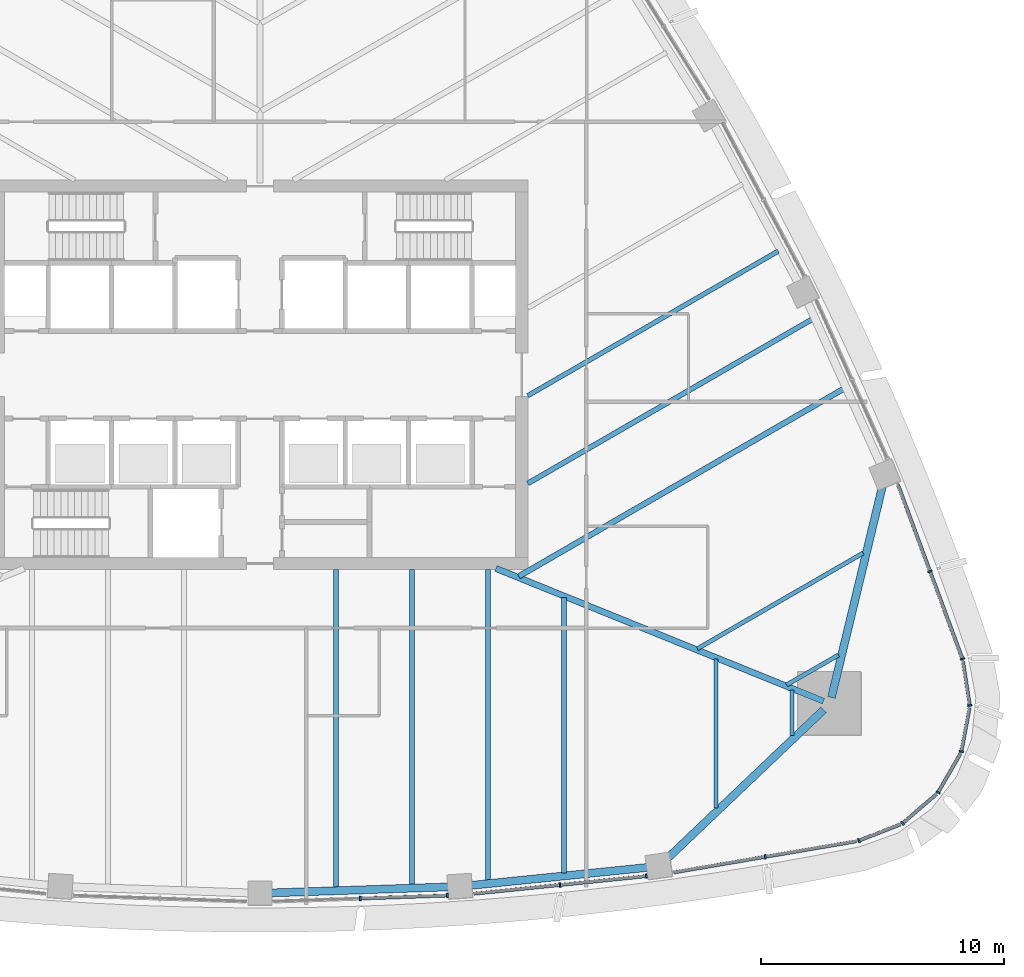
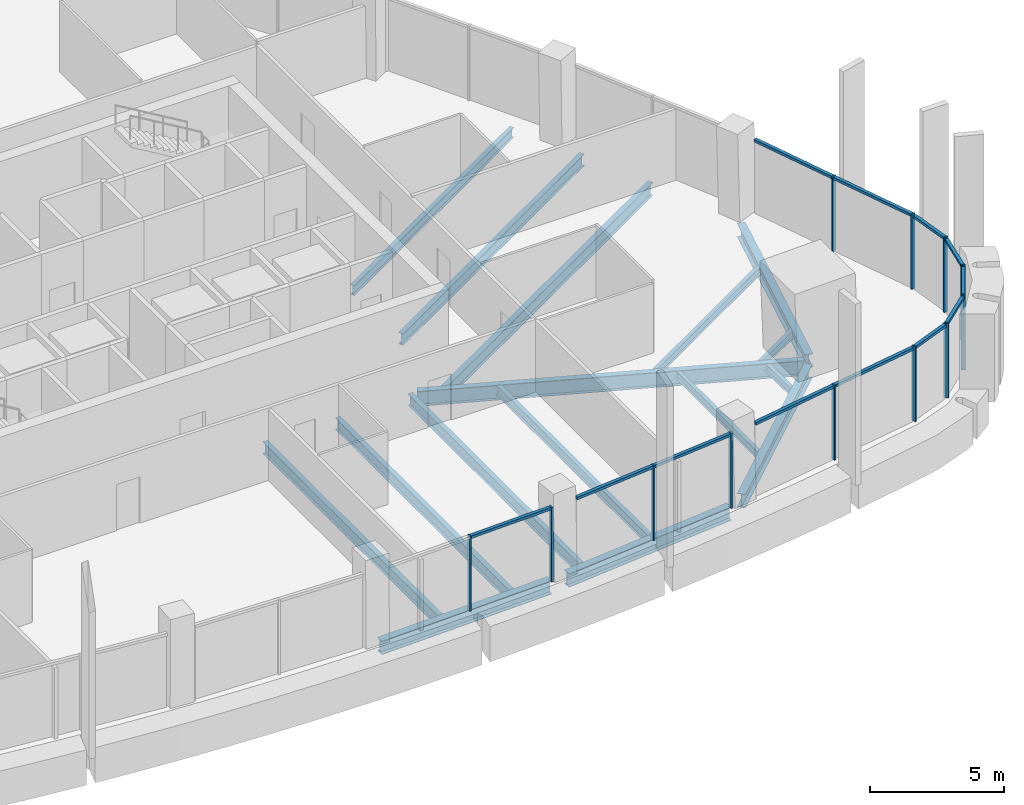
# One storey, part 4 of 19: 24 members, 16 beams, 9 elements without a shape of their own.
"""IFC4 building model written with IfcOpenShell, lengths in metres."""

from ifc_helpers import new_model, si_unit, direction, frame, origin, origin_2d, place, context, subcontext, project, spatial, rectangle, i_section, extrude, material, layer, layer_set, material_profile, profile_set, type_object, element, aggregate, save


model = new_model("IFC4")

# Units and contexts
model_context = context("Model", 3, precision=1e-05, world=origin(), true_north=direction((0.0, 1.0)))
body_context = subcontext(model_context, "Body", "Model", "MODEL_VIEW")
ifc_project = project(units=[si_unit("LENGTHUNIT", "METRE"), si_unit("AREAUNIT", "SQUARE_METRE"), si_unit("VOLUMEUNIT", "CUBIC_METRE"), si_unit("PLANEANGLEUNIT", "RADIAN"), si_unit("MASSUNIT", "GRAM", prefix="KILO")], contexts=[model_context])

# Site, building, storey
site_placement = place(None, origin())
site = spatial("IfcSite", under=ifc_project, at=site_placement, CompositionType="ELEMENT")
building_placement = place(site_placement, origin())
building = spatial("IfcBuilding", under=site, at=building_placement, Name="Sierra Prisma Convention Tower", CompositionType="ELEMENT")
storey_placement = place(building_placement, frame((0.0, 0.0, 185.800048828125)))
storey = spatial("IfcBuildingStorey", under=building, at=storey_placement, Name="L41", CompositionType="ELEMENT", Elevation=185.800048828125)

# Curtain wall, members
ifc_material_1 = material(Name="Aluminium and glass curtain wall", Category="aluminium")
ifc_layer = layer(ifc_material_1, 0.179931640625)
ifc_layer_set = layer_set([ifc_layer], Name="CW-1 Plain shaft curtain wall")
curtain_wall_type = type_object("IfcCurtainWallType", Name="CW-1 Plain shaft curtain wall", PredefinedType="NOTDEFINED", material=ifc_layer_set)
curtain_wall_1_placement = place(storey_placement, origin())
curtain_wall_1 = element("IfcCurtainWall", 1, at=curtain_wall_1_placement, inside=storey, type_object=curtain_wall_type, Name="CW-1 S4 L41", PredefinedType="NOTDEFINED")
ifc_material_2 = material(Name="Aluminium 6063-T6 bronze anodised", Category="aluminium")
ifc_material_profile_1 = material_profile(ifc_material_2, rectangle(XDim=0.179931640625, YDim=0.070068359375, at=origin_2d()), Name="ALU MULLION 70x180")
ifc_profile_set_1 = profile_set([ifc_material_profile_1], Name="Aluminium 6063-T6 bronze anodised")
member_type_1 = type_object("IfcMemberType", Name="CW mullion bronze", PredefinedType="MULLION", material=ifc_profile_set_1)
member_1_placement = place(storey_placement, frame((4.11376953125, -21.5107421875, 0.0), z_axis=(0.0, 0.0, 1.0), x_axis=(-0.03381708389, 0.999428038849, 0.0)))
member_1 = element("IfcMember", 2, at=member_1_placement, type_object=member_type_1, Name="CW-1 mullion S4.2", PredefinedType="MULLION", context=body_context, shape_type="SweptSolid", body=[
    extrude(rectangle(XDim=0.179931640625, YDim=0.070068359375, at=origin_2d()), origin(), (0.0, 0.0, 1.0), 3.39990234375),
])
member_2_placement = place(storey_placement, frame((7.69287109375, -21.3896484375, 0.0), z_axis=(0.0, 0.0, 1.0), x_axis=(-0.03381708389, 0.999428038849, 0.0)))
member_2 = element("IfcMember", 3, at=member_2_placement, type_object=member_type_1, Name="CW-1 mullion S4.3", PredefinedType="MULLION", context=body_context, shape_type="SweptSolid", body=[
    extrude(rectangle(XDim=0.179931640625, YDim=0.070068359375, at=origin_2d()), origin(), (0.0, 0.0, 1.0), 3.39990234375),
])

curtain_wall_2_placement = place(storey_placement, origin())
curtain_wall_2 = element("IfcCurtainWall", 4, at=curtain_wall_2_placement, inside=storey, type_object=curtain_wall_type, Name="CW-1 S5 L41", PredefinedType="NOTDEFINED")
member_3_placement = place(storey_placement, frame((12.3193359375, -20.955810546875, 0.0), z_axis=(0.0, 0.0, 1.0), x_axis=(-0.101296559457, 0.994856274565, 0.0)))
member_3 = element("IfcMember", 5, at=member_3_placement, type_object=member_type_1, Name="CW-1 mullion S5.2", PredefinedType="MULLION", context=body_context, shape_type="SweptSolid", body=[
    extrude(rectangle(XDim=0.179931640625, YDim=0.070068359375, at=origin_2d()), origin(), (0.0, 0.0, 1.0), 3.39990234375),
])
member_4_placement = place(storey_placement, frame((15.865966796875, -20.5947265625, 0.0), z_axis=(0.0, 0.0, 1.0), x_axis=(-0.101296559457, 0.994856274565, 0.0)))
member_4 = element("IfcMember", 6, at=member_4_placement, type_object=member_type_1, Name="CW-1 mullion S5.3", PredefinedType="MULLION", context=body_context, shape_type="SweptSolid", body=[
    extrude(rectangle(XDim=0.179931640625, YDim=0.070068359375, at=origin_2d()), origin(), (0.0, 0.0, 1.0), 3.39990234375),
])

# Curtain wall, member
curtain_wall_3_placement = place(storey_placement, origin())
curtain_wall_3 = element("IfcCurtainWall", 7, at=curtain_wall_3_placement, inside=storey, type_object=curtain_wall_type, Name="CW-1 S6 L41", PredefinedType="NOTDEFINED")
member_5_placement = place(storey_placement, frame((20.752685546875, -19.800048828125, 0.0), z_axis=(0.0, 0.0, 1.0), x_axis=(-0.168312666002, 0.985733658989, 0.0)))
member_5 = element("IfcMember", 8, at=member_5_placement, type_object=member_type_1, Name="CW-1 mullion S6.2", PredefinedType="MULLION", context=body_context, shape_type="SweptSolid", body=[
    extrude(rectangle(XDim=0.179931640625, YDim=0.070068359375, at=origin_2d()), origin(), (0.0, 0.0, 1.0), 3.39990234375),
])

curtain_wall_4_placement = place(storey_placement, origin())
curtain_wall_4 = element("IfcCurtainWall", 9, at=curtain_wall_4_placement, inside=storey, type_object=curtain_wall_type, Name="CW-1 SE1 L41", PredefinedType="NOTDEFINED")
member_6_placement = place(storey_placement, frame((24.6025390625, -19.135498046875, 0.0), z_axis=(0.0, 0.0, 1.0), x_axis=(-0.363286016409, 0.931677664368, 0.0)))
member_6 = element("IfcMember", 10, at=member_6_placement, type_object=member_type_1, Name="CW-1 mullion SE1.1", PredefinedType="MULLION", context=body_context, shape_type="SweptSolid", body=[
    extrude(rectangle(XDim=0.179931640625, YDim=0.070068359375, at=origin_2d()), origin(), (0.0, 0.0, 1.0), 3.39990234375),
])

curtain_wall_5_placement = place(storey_placement, origin())
curtain_wall_5 = element("IfcCurtainWall", 11, at=curtain_wall_5_placement, inside=storey, type_object=curtain_wall_type, Name="CW-1 SE2 L41", PredefinedType="NOTDEFINED")
member_7_placement = place(storey_placement, frame((26.39697265625, -18.42333984375, 0.0), z_axis=(0.0, 0.0, 1.0), x_axis=(-0.651450722183, 0.758690949311, 0.0)))
member_7 = element("IfcMember", 12, at=member_7_placement, type_object=member_type_1, Name="CW-1 mullion SE2.1", PredefinedType="MULLION", context=body_context, shape_type="SweptSolid", body=[
    extrude(rectangle(XDim=0.179931640625, YDim=0.070068359375, at=origin_2d()), origin(), (0.0, 0.0, 1.0), 3.39990234375),
])

curtain_wall_6_placement = place(storey_placement, origin())
curtain_wall_6 = element("IfcCurtainWall", 13, at=curtain_wall_6_placement, inside=storey, type_object=curtain_wall_type, Name="CW-1 SE3 L41", PredefinedType="NOTDEFINED")
member_8_placement = place(storey_placement, frame((27.85400390625, -17.156982421875, 0.0), z_axis=(0.0, 0.0, 1.0), x_axis=(-0.866025403784, 0.5, 0.0)))
member_8 = element("IfcMember", 14, at=member_8_placement, type_object=member_type_1, Name="CW-1 mullion SE3.1", PredefinedType="MULLION", context=body_context, shape_type="SweptSolid", body=[
    extrude(rectangle(XDim=0.179931640625, YDim=0.070068359375, at=origin_2d()), origin(), (0.0, 0.0, 1.0), 3.39990234375),
])

curtain_wall_7_placement = place(storey_placement, origin())
curtain_wall_7 = element("IfcCurtainWall", 15, at=curtain_wall_7_placement, inside=storey, type_object=curtain_wall_type, Name="CW-1 SE4 L41", PredefinedType="NOTDEFINED")
member_9_placement = place(storey_placement, frame((28.809326171875, -15.479248046875, 0.0), z_axis=(0.0, 0.0, 1.0), x_axis=(-0.982770996817, 0.184827400069, 0.0)))
member_9 = element("IfcMember", 16, at=member_9_placement, type_object=member_type_1, Name="CW-1 mullion SE4.1", PredefinedType="MULLION", context=body_context, shape_type="SweptSolid", body=[
    extrude(rectangle(XDim=0.179931640625, YDim=0.070068359375, at=origin_2d()), origin(), (0.0, 0.0, 1.0), 3.39990234375),
])

curtain_wall_8_placement = place(storey_placement, origin())
curtain_wall_8 = element("IfcCurtainWall", 17, at=curtain_wall_8_placement, inside=storey, type_object=curtain_wall_type, Name="CW-1 SE5 L41", PredefinedType="NOTDEFINED")
member_10_placement = place(storey_placement, frame((29.15478515625, -13.57958984375, 0.0), z_axis=(0.0, 0.0, 1.0), x_axis=(-0.988499533685, -0.151223913134, 0.0)))
member_10 = element("IfcMember", 18, at=member_10_placement, type_object=member_type_1, Name="CW-1 mullion SE5.1", PredefinedType="MULLION", context=body_context, shape_type="SweptSolid", body=[
    extrude(rectangle(XDim=0.179931640625, YDim=0.070068359375, at=origin_2d()), origin(), (0.0, 0.0, 1.0), 3.39990234375),
])

# Curtain wall, members
curtain_wall_9_placement = place(storey_placement, origin())
curtain_wall_9 = element("IfcCurtainWall", 19, at=curtain_wall_9_placement, inside=storey, type_object=curtain_wall_type, Name="CW-1 NE1 L41", PredefinedType="NOTDEFINED")
member_11_placement = place(storey_placement, frame((28.855712890625, -11.671142578125, 0.0), z_axis=(0.0, 0.0, 1.0), x_axis=(-0.937826723051, -0.347103784958, 0.0)))
member_11 = element("IfcMember", 20, at=member_11_placement, type_object=member_type_1, Name="CW-1 mullion NE1.1", PredefinedType="MULLION", context=body_context, shape_type="SweptSolid", body=[
    extrude(rectangle(XDim=0.179931640625, YDim=0.070068359375, at=origin_2d()), origin(), (0.0, 0.0, 1.0), 3.39990234375),
])
member_12_placement = place(storey_placement, frame((27.523681640625, -8.072265625, 0.0), z_axis=(0.0, 0.0, 1.0), x_axis=(-0.937826723051, -0.347103784958, 0.0)))
member_12 = element("IfcMember", 21, at=member_12_placement, type_object=member_type_1, Name="CW-1 mullion NE1.2", PredefinedType="MULLION", context=body_context, shape_type="SweptSolid", body=[
    extrude(rectangle(XDim=0.179931640625, YDim=0.070068359375, at=origin_2d()), origin(), (0.0, 0.0, 1.0), 3.39990234375),
])

# Member
ifc_material_3 = material(Name="Aluminium 6063-T6 bronze anodised", Category="aluminium")
ifc_material_profile_2 = material_profile(ifc_material_3, rectangle(XDim=0.139892578125, YDim=0.1201171875, at=origin_2d()), Name="ALU TRANSOM 120x140")
ifc_profile_set_2 = profile_set([ifc_material_profile_2], Name="Aluminium 6063-T6 bronze anodised")
member_type_2 = type_object("IfcMemberType", Name="CW transom bronze", PredefinedType="USERDEFINED", material=ifc_profile_set_2)
member_13_placement = place(storey_placement, frame((4.14892578125, -21.509521484375, 3.33984375), z_axis=(0.999428816734, 0.033794086477, 0.0), x_axis=(-0.033794086477, 0.999428816734, 0.0)))
member_13 = element("IfcMember", 22, at=member_13_placement, type_object=member_type_2, Name="CW-1 transom S4.2", ObjectType="TRANSOM", PredefinedType="USERDEFINED", context=body_context, shape_type="SweptSolid", body=[
    extrude(rectangle(XDim=0.139892578125, YDim=0.1201171875, at=origin_2d()), origin(), (0.0, 0.0, 1.0), 3.510986328125),
])

aggregate(curtain_wall_1, [member_1, member_2, member_13])

member_14_placement = place(storey_placement, frame((8.80712890625, -21.3134765625, 3.33984375), z_axis=(0.994857868529, 0.101280903557, 0.0), x_axis=(-0.101280903557, 0.994857868529, 0.0)))
member_14 = element("IfcMember", 23, at=member_14_placement, type_object=member_type_2, Name="CW-1 transom S5.1", ObjectType="TRANSOM", PredefinedType="USERDEFINED", context=body_context, shape_type="SweptSolid", body=[
    extrude(rectangle(XDim=0.139892578125, YDim=0.1201171875, at=origin_2d()), origin(), (0.0, 0.0, 1.0), 3.495361328125),
])

member_15_placement = place(storey_placement, frame((12.35400390625, -20.952392578125, 3.33984375), z_axis=(0.994850828195, 0.101350035225, 0.0), x_axis=(-0.101350035225, 0.994850828195, 0.0)))
member_15 = element("IfcMember", 24, at=member_15_placement, type_object=member_type_2, Name="CW-1 transom S5.2", ObjectType="TRANSOM", PredefinedType="USERDEFINED", context=body_context, shape_type="SweptSolid", body=[
    extrude(rectangle(XDim=0.139892578125, YDim=0.1201171875, at=origin_2d()), origin(), (0.0, 0.0, 1.0), 3.495361328125),
])

aggregate(curtain_wall_2, [member_3, member_4, member_14, member_15])

member_16_placement = place(storey_placement, frame((17.00439453125, -20.440185546875, 3.33984375), z_axis=(0.985727509537, 0.168348676688, 0.0), x_axis=(-0.168348676688, 0.985727509537, 0.0)))
member_16 = element("IfcMember", 25, at=member_16_placement, type_object=member_type_2, Name="CW-1 transom S6.1", ObjectType="TRANSOM", PredefinedType="USERDEFINED", context=body_context, shape_type="SweptSolid", body=[
    extrude(rectangle(XDim=0.139892578125, YDim=0.1201171875, at=origin_2d()), origin(), (0.0, 0.0, 1.0), 3.767578125),
])

member_17_placement = place(storey_placement, frame((20.787109375, -19.794189453125, 3.33984375), z_axis=(0.98573642551, 0.168296462892, 0.0), x_axis=(-0.168296462892, 0.98573642551, 0.0)))
member_17 = element("IfcMember", 26, at=member_17_placement, type_object=member_type_2, Name="CW-1 transom S6.2", ObjectType="TRANSOM", PredefinedType="USERDEFINED", context=body_context, shape_type="SweptSolid", body=[
    extrude(rectangle(XDim=0.139892578125, YDim=0.1201171875, at=origin_2d()), origin(), (0.0, 0.0, 1.0), 3.767333984375),
])

aggregate(curtain_wall_3, [member_5, member_16, member_17])

member_18_placement = place(storey_placement, frame((24.635009765625, -19.122802734375, 3.33984375), z_axis=(0.931700189919, 0.363228242437, 0.0), x_axis=(-0.363228242437, 0.931700189919, 0.0)))
member_18 = element("IfcMember", 27, at=member_18_placement, type_object=member_type_2, Name="CW-1 transom SE1.1", ObjectType="TRANSOM", PredefinedType="USERDEFINED", context=body_context, shape_type="SweptSolid", body=[
    extrude(rectangle(XDim=0.139892578125, YDim=0.1201171875, at=origin_2d()), origin(), (0.0, 0.0, 1.0), 1.79248046875),
])

aggregate(curtain_wall_4, [member_6, member_18])

member_19_placement = place(storey_placement, frame((26.423583984375, -18.400634765625, 3.33984375), z_axis=(0.758669805195, 0.651475346184, 0.0), x_axis=(-0.651475346184, 0.758669805195, 0.0)))
member_19 = element("IfcMember", 28, at=member_19_placement, type_object=member_type_2, Name="CW-1 transom SE2.1", ObjectType="TRANSOM", PredefinedType="USERDEFINED", context=body_context, shape_type="SweptSolid", body=[
    extrude(rectangle(XDim=0.139892578125, YDim=0.1201171875, at=origin_2d()), origin(), (0.0, 0.0, 1.0), 1.79248046875),
])

aggregate(curtain_wall_5, [member_7, member_19])

member_20_placement = place(storey_placement, frame((27.87158203125, -17.126708984375, 3.33984375), z_axis=(0.499962169188, 0.866047244312, 0.0), x_axis=(-0.866047244312, 0.499962169188, 0.0)))
member_20 = element("IfcMember", 29, at=member_20_placement, type_object=member_type_2, Name="CW-1 transom SE3.1", ObjectType="TRANSOM", PredefinedType="USERDEFINED", context=body_context, shape_type="SweptSolid", body=[
    extrude(rectangle(XDim=0.139892578125, YDim=0.1201171875, at=origin_2d()), origin(), (0.0, 0.0, 1.0), 1.792724609375),
])

aggregate(curtain_wall_6, [member_8, member_20])

member_21_placement = place(storey_placement, frame((28.81591796875, -15.44482421875, 3.33984375), z_axis=(0.184814781449, 0.982773369886, 0.0), x_axis=(-0.982773369886, 0.184814781449, 0.0)))
member_21 = element("IfcMember", 30, at=member_21_placement, type_object=member_type_2, Name="CW-1 transom SE4.1", ObjectType="TRANSOM", PredefinedType="USERDEFINED", context=body_context, shape_type="SweptSolid", body=[
    extrude(rectangle(XDim=0.139892578125, YDim=0.1201171875, at=origin_2d()), origin(), (0.0, 0.0, 1.0), 1.79248046875),
])

aggregate(curtain_wall_7, [member_9, member_21])

member_22_placement = place(storey_placement, frame((29.1494140625, -13.545166015625, 3.33984375), z_axis=(-0.151176970585, 0.98850671397, 0.0), x_axis=(-0.98850671397, -0.151176970585, 0.0)))
member_22 = element("IfcMember", 31, at=member_22_placement, type_object=member_type_2, Name="CW-1 transom SE5.1", ObjectType="TRANSOM", PredefinedType="USERDEFINED", context=body_context, shape_type="SweptSolid", body=[
    extrude(rectangle(XDim=0.139892578125, YDim=0.1201171875, at=origin_2d()), origin(), (0.0, 0.0, 1.0), 1.79248046875),
])

aggregate(curtain_wall_8, [member_10, member_22])

member_23_placement = place(storey_placement, frame((28.843505859375, -11.63818359375, 3.33984375), z_axis=(-0.347107495846, 0.937825349587, 0.0), x_axis=(-0.937825349587, -0.347107495846, 0.0)))
member_23 = element("IfcMember", 32, at=member_23_placement, type_object=member_type_2, Name="CW-1 transom NE1.1", ObjectType="TRANSOM", PredefinedType="USERDEFINED", context=body_context, shape_type="SweptSolid", body=[
    extrude(rectangle(XDim=0.139892578125, YDim=0.1201171875, at=origin_2d()), origin(), (0.0, 0.0, 1.0), 3.76708984375),
])

member_24_placement = place(storey_placement, frame((27.511474609375, -8.03955078125, 3.33984375), z_axis=(-0.34708640059, 0.937833157084, 0.0), x_axis=(-0.937833157084, -0.34708640059, 0.0)))
member_24 = element("IfcMember", 33, at=member_24_placement, type_object=member_type_2, Name="CW-1 transom NE1.2", ObjectType="TRANSOM", PredefinedType="USERDEFINED", context=body_context, shape_type="SweptSolid", body=[
    extrude(rectangle(XDim=0.139892578125, YDim=0.1201171875, at=origin_2d()), origin(), (0.0, 0.0, 1.0), 3.767333984375),
])

aggregate(curtain_wall_9, [member_11, member_12, member_23, member_24])

# Beams
ifc_material_4 = material(Name="Steel ASTM A992 Gr 50", Category="steel")
ifc_material_profile_3 = material_profile(ifc_material_4, i_section(OverallWidth=0.172119140625, OverallDepth=0.35791015625, WebThickness=0.0078125, FlangeThickness=0.01318359375, at=origin_2d()), Name="W360x57")
ifc_profile_set_3 = profile_set([ifc_material_profile_3], Name="Steel ASTM A992 Gr 50")
beam_type_1 = type_object("IfcBeamType", Name="Floor joist W360x57", PredefinedType="JOIST", material=ifc_profile_set_3)
beam_1_placement = place(storey_placement, frame((18.728759765625, -17.795654296875, -0.3291015625), z_axis=(0.0, 1.0, 0.0), x_axis=(-1.0, 0.0, 0.0)))
element("IfcBeam", 34, at=beam_1_placement, inside=storey, type_object=beam_type_1, Name="Floor joist L41 S14", PredefinedType="JOIST", context=body_context, shape_type="SweptSolid", body=[
    extrude(i_section(OverallWidth=0.172119140625, OverallDepth=0.35791015625, WebThickness=0.0078125, FlangeThickness=0.01318359375, at=origin_2d()), origin(), (0.0, 0.0, 1.0), 6.1220703125),
])
beam_2_placement = place(storey_placement, frame((21.85009765625, -14.826416015625, -0.3291015625), z_axis=(0.0, 1.0, 0.0), x_axis=(-1.0, 0.0, 0.0)))
element("IfcBeam", 35, at=beam_2_placement, inside=storey, type_object=beam_type_1, Name="Floor joist L41 S15", PredefinedType="JOIST", context=body_context, shape_type="SweptSolid", body=[
    extrude(i_section(OverallWidth=0.172119140625, OverallDepth=0.35791015625, WebThickness=0.0078125, FlangeThickness=0.01318359375, at=origin_2d()), origin(), (0.0, 0.0, 1.0), 1.887939453125),
])
beam_3_placement = place(storey_placement, frame((23.76513671875, -11.509521484375, -0.3291015625), z_axis=(-0.86603204091, -0.499988503985, 0.0), x_axis=(0.499988503985, -0.86603204091, 0.0)))
element("IfcBeam", 36, at=beam_3_placement, inside=storey, type_object=beam_type_1, Name="Floor joist L41 NE01", PredefinedType="JOIST", context=body_context, shape_type="SweptSolid", body=[
    extrude(i_section(OverallWidth=0.172119140625, OverallDepth=0.35791015625, WebThickness=0.0078125, FlangeThickness=0.01318359375, at=origin_2d()), origin(), (0.0, 0.0, 1.0), 2.46240234375),
])
beam_4_placement = place(storey_placement, frame((24.77587890625, -7.32177734375, -0.3291015625), z_axis=(-0.866032059375, -0.499988472001, 0.0), x_axis=(0.499988472001, -0.866032059375, 0.0)))
element("IfcBeam", 37, at=beam_4_placement, inside=storey, type_object=beam_type_1, Name="Floor joist L41 NE02", PredefinedType="JOIST", context=body_context, shape_type="SweptSolid", body=[
    extrude(i_section(OverallWidth=0.172119140625, OverallDepth=0.35791015625, WebThickness=0.0078125, FlangeThickness=0.01318359375, at=origin_2d()), origin(), (0.0, 0.0, 1.0), 7.864990234375),
])
ifc_material_5 = material(Name="Steel ASTM A992 Gr 50", Category="steel")
ifc_material_profile_4 = material_profile(ifc_material_5, i_section(OverallWidth=0.18994140625, OverallDepth=0.45703125, WebThickness=0.009033203125, FlangeThickness=0.014404296875, at=origin_2d()), Name="W460x74")
ifc_profile_set_4 = profile_set([ifc_material_profile_4], Name="Steel ASTM A992 Gr 50")
beam_type_2 = type_object("IfcBeamType", Name="Floor joist W460x74", PredefinedType="JOIST", material=ifc_profile_set_4)
beam_5_placement = place(storey_placement, frame((12.48583984375, -20.473876953125, -0.378662109375), z_axis=(0.0, 1.0, 0.0), x_axis=(-1.0, 0.0, 0.0)))
element("IfcBeam", 38, at=beam_5_placement, inside=storey, type_object=beam_type_2, Name="Floor joist L41 S12", PredefinedType="JOIST", context=body_context, shape_type="SweptSolid", body=[
    extrude(i_section(OverallWidth=0.18994140625, OverallDepth=0.45703125, WebThickness=0.009033203125, FlangeThickness=0.014404296875, at=origin_2d()), origin(), (0.0, 0.0, 1.0), 11.33056640625),
])
beam_6_placement = place(storey_placement, frame((21.287353515625, 5.08154296875, -0.378662109375), z_axis=(-0.866023697677, -0.500002955053, 0.0), x_axis=(0.500002955053, -0.866023697677, 0.0)))
element("IfcBeam", 39, at=beam_6_placement, inside=storey, type_object=beam_type_2, Name="Floor joist L41 NE06", PredefinedType="JOIST", context=body_context, shape_type="SweptSolid", body=[
    extrude(i_section(OverallWidth=0.18994140625, OverallDepth=0.45703125, WebThickness=0.009033203125, FlangeThickness=0.014404296875, at=origin_2d()), origin(), (0.0, 0.0, 1.0), 11.87890625),
])
ifc_material_6 = material(Name="Steel ASTM A992 Gr 50", Category="steel")
ifc_material_profile_5 = material_profile(ifc_material_6, i_section(OverallWidth=0.208984375, OverallDepth=0.532958984375, WebThickness=0.01025390625, FlangeThickness=0.015625, at=origin_2d()), Name="W530x92")
ifc_profile_set_5 = profile_set([ifc_material_profile_5], Name="Steel ASTM A992 Gr 50")
beam_type_3 = type_object("IfcBeamType", Name="Floor joist W530x92", PredefinedType="JOIST", material=ifc_profile_set_5)
beam_7_placement = place(storey_placement, frame((3.121337890625, -21.081787109375, -0.41650390625), z_axis=(0.0, 1.0, 0.0), x_axis=(-1.0, 0.0, 0.0)))
element("IfcBeam", 40, at=beam_7_placement, inside=storey, type_object=beam_type_3, Name="Floor joist L41 S09", PredefinedType="JOIST", context=body_context, shape_type="SweptSolid", body=[
    extrude(i_section(OverallWidth=0.208984375, OverallDepth=0.532958984375, WebThickness=0.01025390625, FlangeThickness=0.015625, at=origin_2d()), origin(), (0.0, 0.0, 1.0), 13.081787109375),
])
beam_8_placement = place(storey_placement, frame((6.242919921875, -20.97607421875, -0.41650390625), z_axis=(0.0, 1.0, 0.0), x_axis=(-1.0, 0.0, 0.0)))
element("IfcBeam", 41, at=beam_8_placement, inside=storey, type_object=beam_type_3, Name="Floor joist L41 S10", PredefinedType="JOIST", context=body_context, shape_type="SweptSolid", body=[
    extrude(i_section(OverallWidth=0.208984375, OverallDepth=0.532958984375, WebThickness=0.01025390625, FlangeThickness=0.015625, at=origin_2d()), origin(), (0.0, 0.0, 1.0), 12.97607421875),
])
beam_9_placement = place(storey_placement, frame((9.3642578125, -20.791748046875, -0.41650390625), z_axis=(0.0, 1.0, 0.0), x_axis=(-1.0, 0.0, 0.0)))
element("IfcBeam", 42, at=beam_9_placement, inside=storey, type_object=beam_type_3, Name="Floor joist L41 S11", PredefinedType="JOIST", context=body_context, shape_type="SweptSolid", body=[
    extrude(i_section(OverallWidth=0.208984375, OverallDepth=0.532958984375, WebThickness=0.01025390625, FlangeThickness=0.015625, at=origin_2d()), origin(), (0.0, 0.0, 1.0), 12.791748046875),
])
beam_10_placement = place(storey_placement, frame((22.6884765625, 2.2861328125, -0.41650390625), z_axis=(-0.866027138637, -0.499996995135, 0.0), x_axis=(0.499996995135, -0.866027138637, 0.0)))
element("IfcBeam", 43, at=beam_10_placement, inside=storey, type_object=beam_type_3, Name="Floor joist L41 NE05", PredefinedType="JOIST", context=body_context, shape_type="SweptSolid", body=[
    extrude(i_section(OverallWidth=0.208984375, OverallDepth=0.532958984375, WebThickness=0.01025390625, FlangeThickness=0.015625, at=origin_2d()), origin(), (0.0, 0.0, 1.0), 13.49658203125),
])
ifc_material_7 = material(Name="Steel ASTM A992 Gr 50", Category="steel")
ifc_material_profile_6 = material_profile(ifc_material_7, i_section(OverallWidth=0.22802734375, OverallDepth=0.60302734375, WebThickness=0.010498046875, FlangeThickness=0.014892578125, at=origin_2d()), Name="W610x101")
ifc_profile_set_6 = profile_set([ifc_material_profile_6], Name="Steel ASTM A992 Gr 50")
beam_type_4 = type_object("IfcBeamType", Name="Floor joist W610x101", PredefinedType="JOIST", material=ifc_profile_set_6)
beam_11_placement = place(storey_placement, frame((23.973876953125, -0.576171875, -0.45166015625), z_axis=(-0.866026229868, -0.499998569178, 0.0), x_axis=(0.499998569178, -0.866026229868, 0.0)))
element("IfcBeam", 44, at=beam_11_placement, inside=storey, type_object=beam_type_4, Name="Floor joist L41 NE04", PredefinedType="JOIST", context=body_context, shape_type="SweptSolid", body=[
    extrude(i_section(OverallWidth=0.22802734375, OverallDepth=0.60302734375, WebThickness=0.010498046875, FlangeThickness=0.014892578125, at=origin_2d()), origin(), (0.0, 0.0, 1.0), 15.40966796875),
])
ifc_material_8 = material(Name="Steel ASTM A992 Gr 50", Category="steel")
ifc_material_profile_7 = material_profile(ifc_material_8, i_section(OverallWidth=0.25390625, OverallDepth=0.68408203125, WebThickness=0.012451171875, FlangeThickness=0.018798828125, at=origin_2d()), Name="W690x140")
ifc_profile_set_7 = profile_set([ifc_material_profile_7], Name="Steel ASTM A992 Gr 50")
beam_type_5 = type_object("IfcBeamType", Name="Radial girder W690x140", PredefinedType="BEAM", material=ifc_profile_set_7)
beam_12_placement = place(storey_placement, frame((23.15087890625, -13.410888671875, -0.491943359375), z_axis=(-0.926777064375, 0.375611864759, 0.0), x_axis=(-0.375611864759, -0.926777064375, 0.0)))
element("IfcBeam", 45, at=beam_12_placement, inside=storey, type_object=beam_type_5, Name="Radial girder L41 SE", PredefinedType="BEAM", context=body_context, shape_type="SweptSolid", body=[
    extrude(i_section(OverallWidth=0.25390625, OverallDepth=0.68408203125, WebThickness=0.012451171875, FlangeThickness=0.018798828125, at=origin_2d()), origin(), (0.0, 0.0, 1.0), 14.52587890625),
])
ifc_material_9 = material(Name="Steel ASTM A992 Gr 50", Category="steel")
ifc_material_profile_8 = material_profile(ifc_material_9, i_section(OverallWidth=0.324951171875, OverallDepth=0.615966796875, WebThickness=0.013916015625, FlangeThickness=0.021484375, at=origin_2d()), Name="W610x174")
ifc_profile_set_8 = profile_set([ifc_material_profile_8], Name="Steel ASTM A992 Gr 50")
beam_type_6 = type_object("IfcBeamType", Name="Spandrel beam W610x174", PredefinedType="BEAM", material=ifc_profile_set_8)
beam_13_placement = place(storey_placement, frame((0.380126953125, -21.287109375, -0.4580078125), z_axis=(0.999428479642, 0.033804054205, 0.0), x_axis=(-0.033804054205, 0.999428479642, 0.0)))
element("IfcBeam", 46, at=beam_13_placement, inside=storey, type_object=beam_type_6, Name="Spandrel L41-04", PredefinedType="BEAM", context=body_context, shape_type="SweptSolid", body=[
    extrude(i_section(OverallWidth=0.324951171875, OverallDepth=0.615966796875, WebThickness=0.013916015625, FlangeThickness=0.021484375, at=origin_2d()), origin(), (0.0, 0.0, 1.0), 7.46044921875),
])
beam_14_placement = place(storey_placement, frame((8.5947265625, -20.9833984375, -0.4580078125), z_axis=(0.994858057198, 0.101279050294, 0.0), x_axis=(-0.101279050294, 0.994858057198, 0.0)))
element("IfcBeam", 47, at=beam_14_placement, inside=storey, type_object=beam_type_6, Name="Spandrel L41-05", PredefinedType="BEAM", context=body_context, shape_type="SweptSolid", body=[
    extrude(i_section(OverallWidth=0.324951171875, OverallDepth=0.615966796875, WebThickness=0.013916015625, FlangeThickness=0.021484375, at=origin_2d()), origin(), (0.0, 0.0, 1.0), 7.460693359375),
])
beam_15_placement = place(storey_placement, frame((16.755126953125, -19.846923828125, -0.4580078125), z_axis=(0.7245870332, 0.689183307487, 0.0), x_axis=(-0.689183307487, 0.7245870332, 0.0)))
element("IfcBeam", 48, at=beam_15_placement, inside=storey, type_object=beam_type_6, Name="Spandrel L41-06", PredefinedType="BEAM", context=body_context, shape_type="SweptSolid", body=[
    extrude(i_section(OverallWidth=0.324951171875, OverallDepth=0.615966796875, WebThickness=0.013916015625, FlangeThickness=0.021484375, at=origin_2d()), origin(), (0.0, 0.0, 1.0), 8.82666015625),
])
beam_16_placement = place(storey_placement, frame((23.4736328125, -13.25634765625, -0.4580078125), z_axis=(0.234578984337, 0.97209706311, 0.0), x_axis=(-0.97209706311, 0.234578984337, 0.0)))
element("IfcBeam", 49, at=beam_16_placement, inside=storey, type_object=beam_type_6, Name="Spandrel L41-07", PredefinedType="BEAM", context=body_context, shape_type="SweptSolid", body=[
    extrude(i_section(OverallWidth=0.324951171875, OverallDepth=0.615966796875, WebThickness=0.013916015625, FlangeThickness=0.021484375, at=origin_2d()), origin(), (0.0, 0.0, 1.0), 8.918212890625),
])

save(model, "model.ifc")
